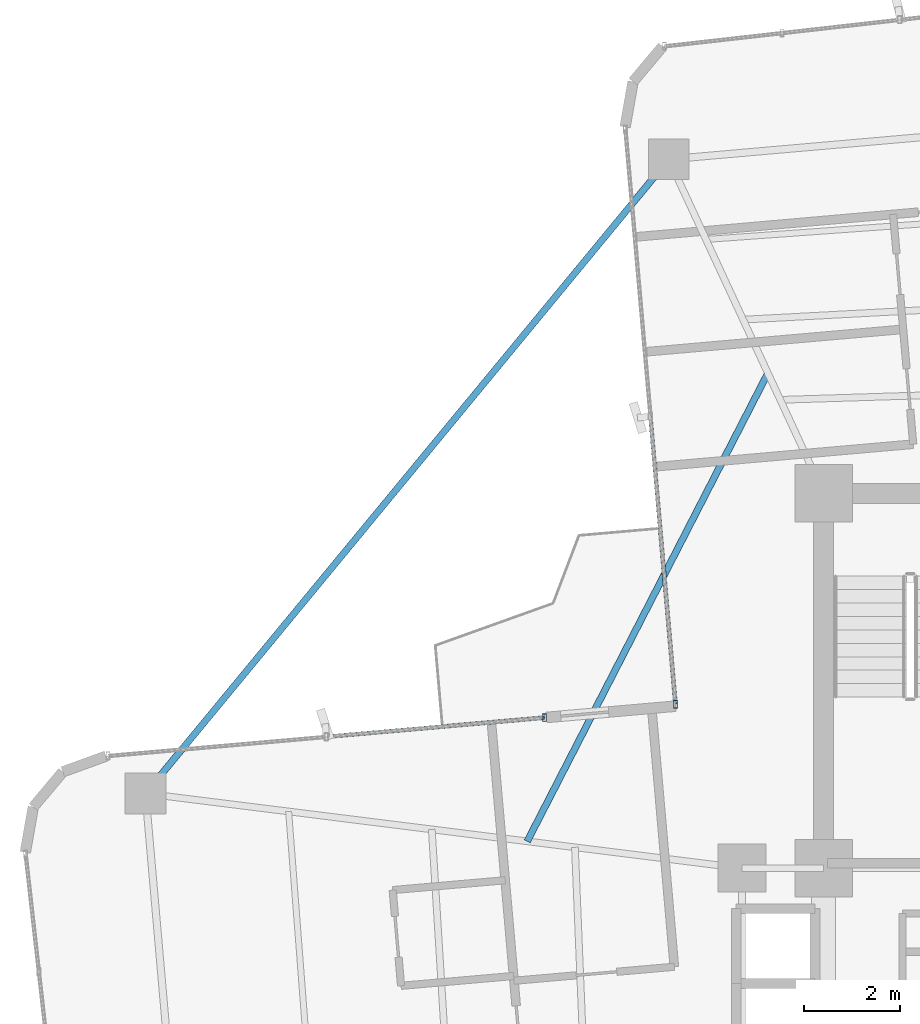
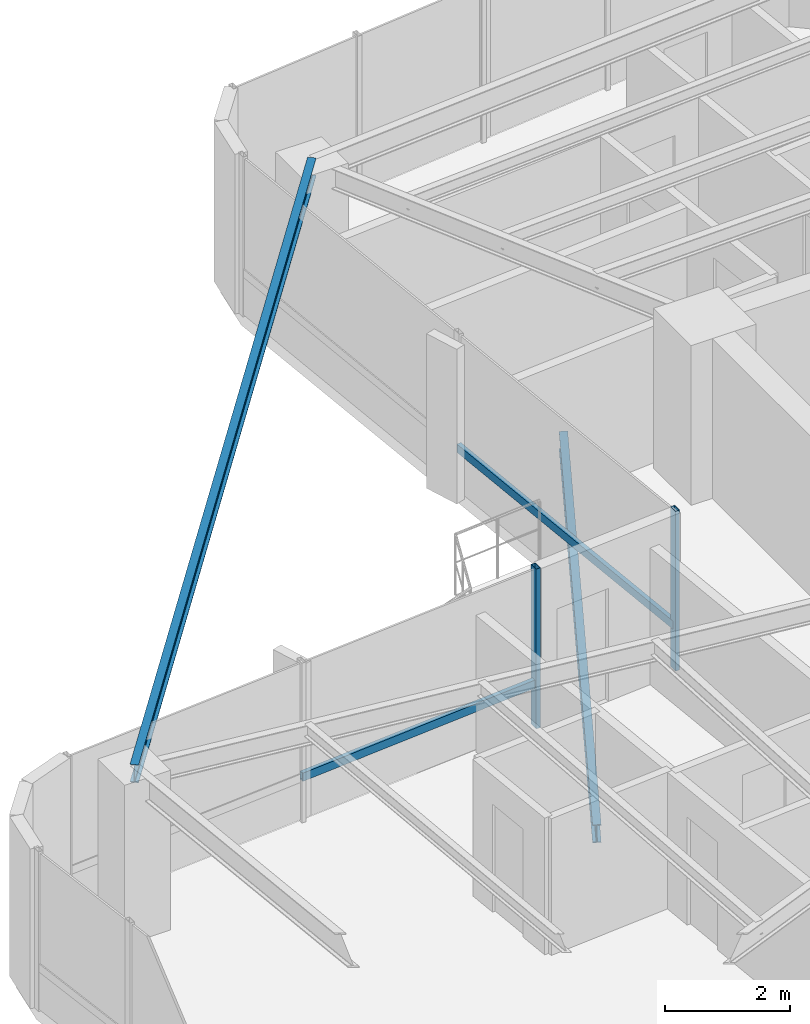
# One storey, part 10 of 24: 4 members, 2 beams, 2 elements without a shape of their own.
"""IFC4 building model written with IfcOpenShell, lengths in metres."""

from ifc_helpers import new_model, si_unit, direction, frame, origin, origin_2d, place, context, subcontext, project, spatial, hollow_rectangle, i_section, extrude, source, transform, mapped, material, material_profile, profile_set, type_object, element, aggregate, save


model = new_model("IFC4")

# Units and contexts
model_context = context("Model", 3, precision=1e-05, world=origin(), true_north=direction((0.0, 1.0)))
body_context = subcontext(model_context, "Body", "Model", "MODEL_VIEW")
ifc_project = project(units=[si_unit("LENGTHUNIT", "METRE"), si_unit("AREAUNIT", "SQUARE_METRE"), si_unit("VOLUMEUNIT", "CUBIC_METRE"), si_unit("PLANEANGLEUNIT", "RADIAN"), si_unit("MASSUNIT", "GRAM", prefix="KILO")], contexts=[model_context])

# Site, building, storey
site_placement = place(None, origin())
site = spatial("IfcSite", under=ifc_project, at=site_placement, CompositionType="ELEMENT")
building_placement = place(site_placement, origin())
building = spatial("IfcBuilding", under=site, at=building_placement, Name="Sahyath Konkavel Grand Hotel", CompositionType="ELEMENT")
storey_placement = place(building_placement, frame((0.0, 0.0, 157.300048828125)))
storey = spatial("IfcBuildingStorey", under=building, at=storey_placement, Name="L43", CompositionType="ELEMENT", Elevation=157.300048828125)

# Beam
ifc_material_1 = material(Name="Steel E350", Category="steel")
ifc_material_profile_1 = material_profile(ifc_material_1, i_section(OverallWidth=0.139892578125, OverallDepth=0.35009765625, WebThickness=0.008056640625, FlangeThickness=0.01416015625, FilletRadius=0.013916015625, at=origin_2d()), Name="ISMB 350")
ifc_profile_set_1 = profile_set([ifc_material_profile_1], Name="Steel E350")
beam_type_1 = type_object("IfcBeamType", Name="BM-ISMB350", PredefinedType="BEAM", material=ifc_profile_set_1)
shared_shape_1 = source(origin(), body_context, "Body", "SweptSolid", [
    extrude(i_section(OverallWidth=0.139892578125, OverallDepth=0.35009765625, WebThickness=0.008056640625, FlangeThickness=0.01416015625, FilletRadius=0.013916015625, at=origin_2d()), origin(), (0.0, 0.0, 1.0), 17.112548828125),
])
beam_1_placement = place(storey_placement, frame((-7.021728515625, 17.1533203125, 2.93505859375), z_axis=(-0.636437070092, -0.77132863023, 0.0), x_axis=(0.77132863023, -0.636437070092, 0.0)))
element("IfcBeam", 1, at=beam_1_placement, inside=storey, type_object=beam_type_1, Name="L43 Re-Entrant Tie Beam NW", PredefinedType="BEAM", context=body_context, shape_type="MappedRepresentation", body=[
    mapped(shared_shape_1, transform((0.0, 0.0, 0.0), scale=1.0)),
])

# Curtain wall, member
ifc_material_2 = material(Name="Anodised Bronze Aluminium & Low-E Glazing", Category="aluminium")
curtain_wall_type = type_object("IfcCurtainWallType", Name="CW-ZONE3", PredefinedType="NOTDEFINED", material=ifc_material_2)
curtain_wall_1_placement = place(storey_placement, origin())
curtain_wall_1 = element("IfcCurtainWall", 2, at=curtain_wall_1_placement, inside=storey, type_object=curtain_wall_type, Name="L43 Unitised Curtain Wall F15", PredefinedType="NOTDEFINED")
ifc_material_3 = material(Name="Anodised Bronze Aluminium", Category="aluminium")
ifc_material_profile_2 = material_profile(ifc_material_3, hollow_rectangle(XDim=0.080078125, YDim=0.159912109375, WallThickness=0.006103515625, at=origin_2d()), Name="RHS 160x80x6")
ifc_profile_set_2 = profile_set([ifc_material_profile_2], Name="Anodised Bronze Aluminium")
member_type_1 = type_object("IfcMemberType", Name="CW-MUL-160", PredefinedType="MULLION", material=ifc_profile_set_2)
shared_shape_2 = source(origin(), body_context, "Body", "SweptSolid", [
    extrude(hollow_rectangle(XDim=0.080078125, YDim=0.159912109375, WallThickness=0.006103515625, at=origin_2d()), origin(), (0.0, 0.0, 1.0), 3.10986328125),
])
member_1_placement = place(storey_placement, frame((-6.8828125, 5.812255859375, 0.0), z_axis=(0.0, 0.0, 1.0), x_axis=(1.0, 0.0, 0.0)))
member_1 = element("IfcMember", 3, at=member_1_placement, type_object=member_type_1, Name="L43 Curtain Wall Mullion F15-2", PredefinedType="MULLION", context=body_context, shape_type="MappedRepresentation", body=[
    mapped(shared_shape_2, transform((0.0, 0.0, 0.0), scale=1.0)),
])

# Curtain wall, members
curtain_wall_2_placement = place(storey_placement, origin())
curtain_wall_2 = element("IfcCurtainWall", 4, at=curtain_wall_2_placement, inside=storey, type_object=curtain_wall_type, Name="L43 Unitised Curtain Wall F16", PredefinedType="NOTDEFINED")
member_2_placement = place(storey_placement, frame((-9.60888671875, 5.53369140625, 0.0), z_axis=(0.0, 0.0, 1.0), x_axis=(1.0, 0.0, 0.0)))
member_2 = element("IfcMember", 5, at=member_2_placement, type_object=member_type_1, Name="L43 Curtain Wall Mullion F16-0", PredefinedType="MULLION", context=body_context, shape_type="MappedRepresentation", body=[
    mapped(shared_shape_2, transform((0.0, 0.0, 0.0), scale=1.0)),
])
ifc_material_profile_3 = material_profile(ifc_material_3, hollow_rectangle(XDim=0.080078125, YDim=0.159912109375, WallThickness=0.006103515625, at=origin_2d()), Name="RHS 160x80x6")
ifc_profile_set_3 = profile_set([ifc_material_profile_3], Name="Anodised Bronze Aluminium")
member_type_2 = type_object("IfcMemberType", Name="CW-TRN-160", PredefinedType="USERDEFINED", material=ifc_profile_set_3)
shared_shape_3 = source(origin(), body_context, "Body", "SweptSolid", [
    extrude(hollow_rectangle(XDim=0.080078125, YDim=0.159912109375, WallThickness=0.006103515625, at=origin_2d()), origin(), (0.0, 0.0, 1.0), 4.56005859375),
])
member_3_placement = place(storey_placement, frame((-9.60888671875, 5.53369140625, 0.849853515625), z_axis=(-0.996189590376, -0.087214104516, 0.0), x_axis=(0.087214104516, -0.996189590376, 0.0)))
member_3 = element("IfcMember", 6, at=member_3_placement, type_object=member_type_2, Name="L43 Curtain Wall Transom F16-0-spandrel", ObjectType="TRANSOM", PredefinedType="USERDEFINED", context=body_context, shape_type="MappedRepresentation", body=[
    mapped(shared_shape_3, transform((0.0, 0.0, 0.0), scale=1.0)),
])
aggregate(curtain_wall_2, [member_2, member_3])

# Member
shared_shape_4 = source(origin(), body_context, "Body", "SweptSolid", [
    extrude(hollow_rectangle(XDim=0.080078125, YDim=0.159912109375, WallThickness=0.006103515625, at=origin_2d()), origin(), (0.0, 0.0, 1.0), 6.010009765625),
])
member_4_placement = place(storey_placement, frame((-7.406494140625, 11.79931640625, 0.849853515625), z_axis=(0.087136210597, -0.996196406741, 0.0), x_axis=(0.996196406741, 0.087136210597, 0.0)))
member_4 = element("IfcMember", 7, at=member_4_placement, type_object=member_type_2, Name="L43 Curtain Wall Transom F15-1-spandrel", ObjectType="TRANSOM", PredefinedType="USERDEFINED", context=body_context, shape_type="MappedRepresentation", body=[
    mapped(shared_shape_4, transform((0.0, 0.0, 0.0), scale=1.0)),
])

aggregate(curtain_wall_1, [member_1, member_4])

# Beam
ifc_material_profile_4 = material_profile(ifc_material_1, i_section(OverallWidth=0.139892578125, OverallDepth=0.35009765625, WebThickness=0.008056640625, FlangeThickness=0.01416015625, FilletRadius=0.013916015625, at=origin_2d()), Name="ISMB 350")
ifc_profile_set_4 = profile_set([ifc_material_profile_4], Name="Steel E350")
beam_type_2 = type_object("IfcBeamType", Name="BM-BALC-CANT", PredefinedType="BEAM", material=ifc_profile_set_4)
shared_shape_5 = source(origin(), body_context, "Body", "SweptSolid", [
    extrude(i_section(OverallWidth=0.139892578125, OverallDepth=0.35009765625, WebThickness=0.008056640625, FlangeThickness=0.01416015625, FilletRadius=0.013916015625, at=origin_2d()), origin(), (0.0, 0.0, 1.0), 10.95556640625),
])
beam_2_placement = place(storey_placement, frame((-4.959716796875, 12.703125, -0.4150390625), z_axis=(-0.457186878355, -0.889370652912, 0.0), x_axis=(0.889370652912, -0.457186878355, 0.0)))
element("IfcBeam", 8, at=beam_2_placement, inside=storey, type_object=beam_type_2, Name="L43 Balcony Cantilever Support Beam NW", PredefinedType="BEAM", context=body_context, shape_type="MappedRepresentation", body=[
    mapped(shared_shape_5, transform((0.0, 0.0, 0.0), scale=1.0)),
])

save(model, "model.ifc")
